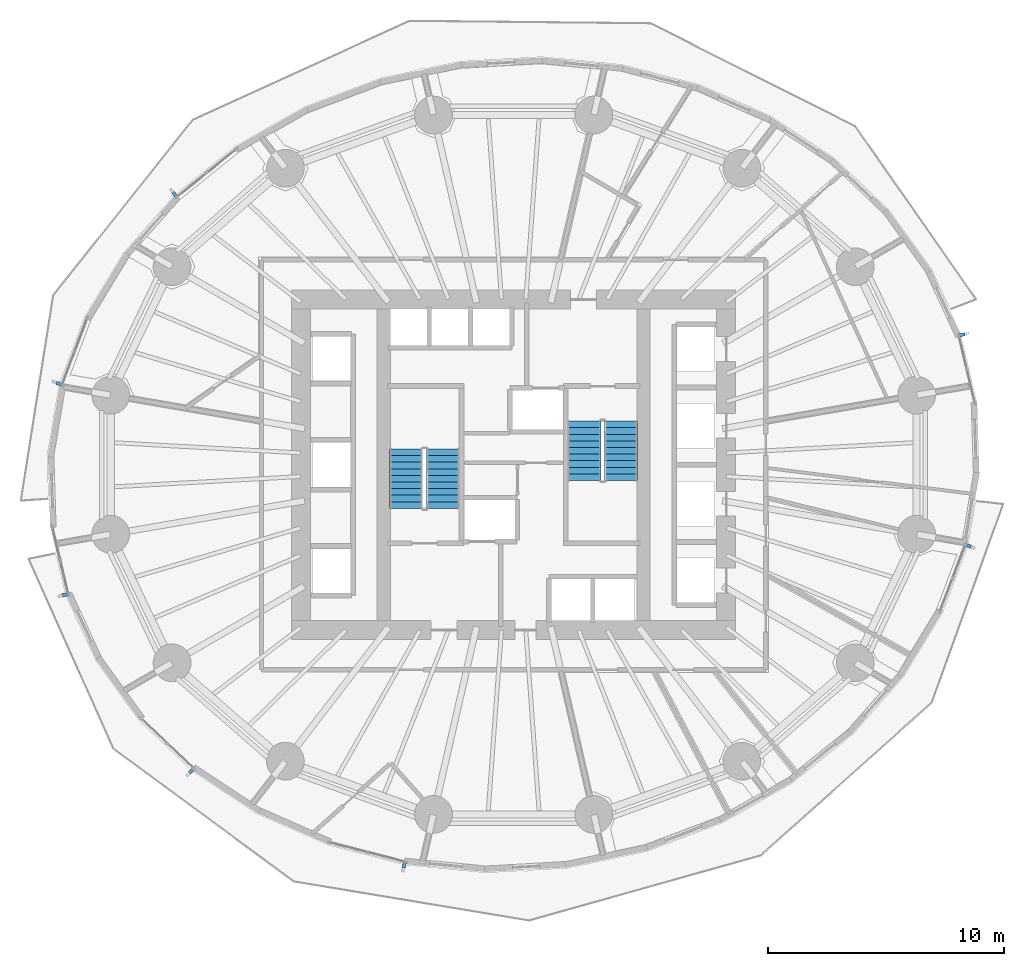
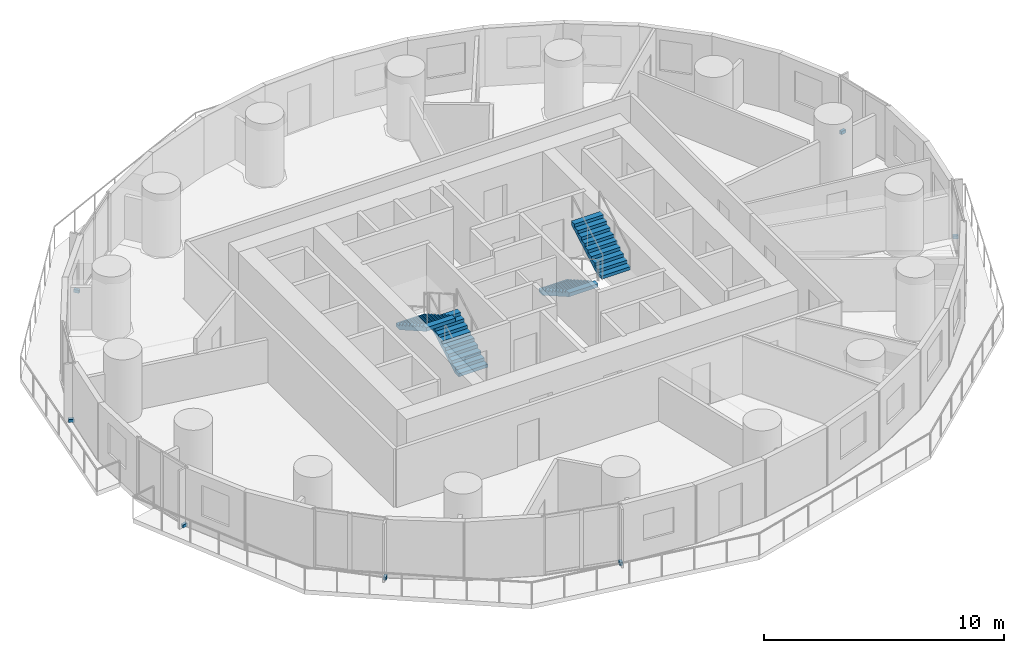
# One storey, part 10 of 14: 7 discrete accessories, 4 stair flights, 2 elements without a shape of their own.
"""IFC4 building model written with IfcOpenShell, lengths in metres."""

from ifc_helpers import new_model, si_unit, direction, frame, origin, origin_2d, place, context, subcontext, project, spatial, polyline, rectangle, outline, extrude, material, type_object, element, aggregate, save


model = new_model("IFC4")

# Units and contexts
model_context = context("Model", 3, precision=1e-05, world=origin(), true_north=direction((0.0, 1.0)))
body_context = subcontext(model_context, "Body", "Model", "MODEL_VIEW")
ifc_project = project(units=[si_unit("LENGTHUNIT", "METRE"), si_unit("AREAUNIT", "SQUARE_METRE"), si_unit("VOLUMEUNIT", "CUBIC_METRE"), si_unit("PLANEANGLEUNIT", "RADIAN"), si_unit("MASSUNIT", "GRAM", prefix="KILO")], contexts=[model_context])

# Site, building, storey
site_placement = place(None, origin())
site = spatial("IfcSite", under=ifc_project, at=site_placement, CompositionType="ELEMENT")
building_placement = place(site_placement, origin())
building = spatial("IfcBuilding", under=site, at=building_placement, Name="Veldorim Arch Residences", CompositionType="ELEMENT")
storey_placement = place(building_placement, frame((0.0, 0.0, 34.39990234375)))
storey = spatial("IfcBuildingStorey", under=building, at=storey_placement, Name="L09", CompositionType="ELEMENT", Elevation=34.39990234375)

# Stair, stair flights
ifc_material_1 = material(Name="Concrete C40/50", Category="concrete")
stair_type = type_object("IfcStairType", Name="Reinforced Concrete Dogleg Exit Staircase", PredefinedType="HALF_TURN_STAIR", material=ifc_material_1)
stair_1_placement = place(storey_placement, origin())
stair_1 = element("IfcStair", 1, at=stair_1_placement, inside=storey, type_object=stair_type, Name="L09 Exit Staircase ST-1", PredefinedType="HALF_TURN_STAIR")
ifc_material_2 = material(Name="Concrete C40/50", Category="concrete")
stair_flight_type = type_object("IfcStairFlightType", Name="Reinforced Concrete Stair Flight 1400", PredefinedType="STRAIGHT", material=ifc_material_2)
stair_flight_1_placement = place(storey_placement, frame((29.010009765625, 22.14990234375, 0.0), z_axis=(0.0, 0.0, 1.0), x_axis=(0.0, 1.0, 0.0)))
stair_flight_1 = element("IfcStairFlight", 2, at=stair_flight_1_placement, type_object=stair_flight_type, Name="ST-1 flight 1", NumberOfRisers=10, NumberOfTreads=9, PredefinedType="STRAIGHT", RiserHeight=0.16, TreadLength=0.28, context=body_context, shape_type="SweptSolid", body=[
    extrude(outline(polyline([(0.0, 0.0), (0.0, 0.159912109375), (0.280029296875, 0.159912109375), (0.280029296875, 0.320068359375), (0.56005859375, 0.320068359375), (0.56005859375, 0.47998046875), (0.840087890625, 0.47998046875), (0.840087890625, 0.639892578125), (1.1201171875, 0.639892578125), (1.1201171875, 0.800048828125), (1.39990234375, 0.800048828125), (1.39990234375, 0.9599609375), (1.679931640625, 0.9599609375), (1.679931640625, 1.1201171875), (1.9599609375, 1.1201171875), (1.9599609375, 1.280029296875), (2.239990234375, 1.280029296875), (2.239990234375, 1.43994140625), (2.52001953125, 1.43994140625), (2.52001953125, 1.60009765625), (2.52001953125, 1.255859375), (0.322265625, 0.0), (0.0, 0.0)])), frame((0.0, 0.699951171875, 0.0), z_axis=(0.0, -1.0, 0.0), x_axis=(1.0, 0.0, 0.0)), (0.0, 0.0, 1.0), 1.39990234375),
])
stair_flight_2_placement = place(storey_placement, frame((27.449951171875, 24.669921875, 1.60009765625), z_axis=(0.0, 0.0, 1.0), x_axis=(0.0, -1.0, 0.0)))
stair_flight_2 = element("IfcStairFlight", 3, at=stair_flight_2_placement, type_object=stair_flight_type, Name="ST-1 flight 2", NumberOfRisers=10, NumberOfTreads=9, PredefinedType="STRAIGHT", RiserHeight=0.16, TreadLength=0.28, context=body_context, shape_type="SweptSolid", body=[
    extrude(outline(polyline([(0.0, 0.0), (0.0, 0.159912109375), (0.280029296875, 0.159912109375), (0.280029296875, 0.320068359375), (0.56005859375, 0.320068359375), (0.56005859375, 0.47998046875), (0.840087890625, 0.47998046875), (0.840087890625, 0.639892578125), (1.1201171875, 0.639892578125), (1.1201171875, 0.800048828125), (1.39990234375, 0.800048828125), (1.39990234375, 0.9599609375), (1.679931640625, 0.9599609375), (1.679931640625, 1.1201171875), (1.9599609375, 1.1201171875), (1.9599609375, 1.280029296875), (2.239990234375, 1.280029296875), (2.239990234375, 1.43994140625), (2.52001953125, 1.43994140625), (2.52001953125, 1.60009765625), (2.52001953125, 1.255859375), (0.322265625, 0.0), (0.0, 0.0)])), frame((0.0, 0.699951171875, 0.0), z_axis=(0.0, -1.0, 0.0), x_axis=(1.0, 0.0, 0.0)), (0.0, 0.0, 1.0), 1.39990234375),
])
aggregate(stair_1, [stair_flight_1, stair_flight_2])

stair_2_placement = place(storey_placement, origin())
stair_2 = element("IfcStair", 4, at=stair_2_placement, inside=storey, type_object=stair_type, Name="L09 Exit Staircase ST-2", PredefinedType="HALF_TURN_STAIR")
stair_flight_3_placement = place(storey_placement, frame((34.989990234375, 25.85009765625, 0.0), z_axis=(0.0, 0.0, 1.0), x_axis=(0.0, -1.0, 0.0)))
stair_flight_3 = element("IfcStairFlight", 5, at=stair_flight_3_placement, type_object=stair_flight_type, Name="ST-2 flight 1", NumberOfRisers=10, NumberOfTreads=9, PredefinedType="STRAIGHT", RiserHeight=0.16, TreadLength=0.28, context=body_context, shape_type="SweptSolid", body=[
    extrude(outline(polyline([(0.0, 0.0), (0.0, 0.159912109375), (0.280029296875, 0.159912109375), (0.280029296875, 0.320068359375), (0.56005859375, 0.320068359375), (0.56005859375, 0.47998046875), (0.840087890625, 0.47998046875), (0.840087890625, 0.639892578125), (1.1201171875, 0.639892578125), (1.1201171875, 0.800048828125), (1.39990234375, 0.800048828125), (1.39990234375, 0.9599609375), (1.679931640625, 0.9599609375), (1.679931640625, 1.1201171875), (1.9599609375, 1.1201171875), (1.9599609375, 1.280029296875), (2.239990234375, 1.280029296875), (2.239990234375, 1.43994140625), (2.52001953125, 1.43994140625), (2.52001953125, 1.60009765625), (2.52001953125, 1.255859375), (0.322265625, 0.0), (0.0, 0.0)])), frame((0.0, 0.699951171875, 0.0), z_axis=(0.0, -1.0, 0.0), x_axis=(1.0, 0.0, 0.0)), (0.0, 0.0, 1.0), 1.39990234375),
])
stair_flight_4_placement = place(storey_placement, frame((36.550048828125, 23.330078125, 1.60009765625), z_axis=(0.0, 0.0, 1.0), x_axis=(0.0, 1.0, 0.0)))
stair_flight_4 = element("IfcStairFlight", 6, at=stair_flight_4_placement, type_object=stair_flight_type, Name="ST-2 flight 2", NumberOfRisers=10, NumberOfTreads=9, PredefinedType="STRAIGHT", RiserHeight=0.16, TreadLength=0.28, context=body_context, shape_type="SweptSolid", body=[
    extrude(outline(polyline([(0.0, 0.0), (0.0, 0.159912109375), (0.280029296875, 0.159912109375), (0.280029296875, 0.320068359375), (0.56005859375, 0.320068359375), (0.56005859375, 0.47998046875), (0.840087890625, 0.47998046875), (0.840087890625, 0.639892578125), (1.1201171875, 0.639892578125), (1.1201171875, 0.800048828125), (1.39990234375, 0.800048828125), (1.39990234375, 0.9599609375), (1.679931640625, 0.9599609375), (1.679931640625, 1.1201171875), (1.9599609375, 1.1201171875), (1.9599609375, 1.280029296875), (2.239990234375, 1.280029296875), (2.239990234375, 1.43994140625), (2.52001953125, 1.43994140625), (2.52001953125, 1.60009765625), (2.52001953125, 1.255859375), (0.322265625, 0.0), (0.0, 0.0)])), frame((0.0, 0.699951171875, 0.0), z_axis=(0.0, -1.0, 0.0), x_axis=(1.0, 0.0, 0.0)), (0.0, 0.0, 1.0), 1.39990234375),
])
aggregate(stair_2, [stair_flight_3, stair_flight_4])

# Discrete accessories
ifc_material_3 = material(Name="Stainless Steel", Category="steel")
discrete_accessory_type = type_object("IfcDiscreteAccessoryType", Name="Stainless Steel Facade Fin Anchor Bracket", PredefinedType="BRACKET", material=ifc_material_3)
for number, where, z_axis, x_axis, name in (
    (7, (50.990478515625, 29.505615234375, -0.02001953125), (0.0, 0.0, 1.0), (0.230219585439, -0.973138706701, 0.0), "L09 stainless fin anchor bracket 01"),
    (8, (17.6455078125, 35.4443359375, -0.02001953125), (0.0, 0.0, 1.0), (0.778571842519, 0.627555484428, 0.0), "L09 stainless fin anchor bracket 13"),
    (9, (12.748779296875, 27.430908203125, -0.02001953125), (0.0, 0.0, 1.0), (0.352984997999, 0.935628981588, 0.0), "L09 stainless fin anchor bracket 16"),
    (10, (13.009521484375, 18.494384765625, -0.02001953125), (0.0, 0.0, 1.0), (-0.230219585439, 0.973138706701, 0.0), "L09 stainless fin anchor bracket 19"),
    (11, (18.3623046875, 11.03271484375, -0.02001953125), (0.0, 0.0, 1.0), (-0.724532846102, 0.689240273721, 0.0), "L09 stainless fin anchor bracket 22"),
    (12, (27.369873046875, 7.048828125, -0.02001953125), (0.0, 0.0, 1.0), (-0.968191325187, 0.250211026602, 0.0), "L09 stainless fin anchor bracket 25"),
    (13, (51.251220703125, 20.569091796875, -0.02001953125), (0.0, 0.0, 1.0), (-0.352984997999, -0.935628981588, 0.0), "L09 stainless fin anchor bracket 34"),
):
    element("IfcDiscreteAccessory", number, at=place(storey_placement, frame(where, z_axis=z_axis, x_axis=x_axis)), inside=storey, type_object=discrete_accessory_type, Name=name, PredefinedType="BRACKET", context=body_context, shape_type="SweptSolid", body=[
        extrude(rectangle(XDim=0.139892578125, YDim=0.239990234375, at=origin_2d()), origin(), (0.0, 0.0, 1.0), 0.159912109375),
    ])

save(model, "model.ifc")
